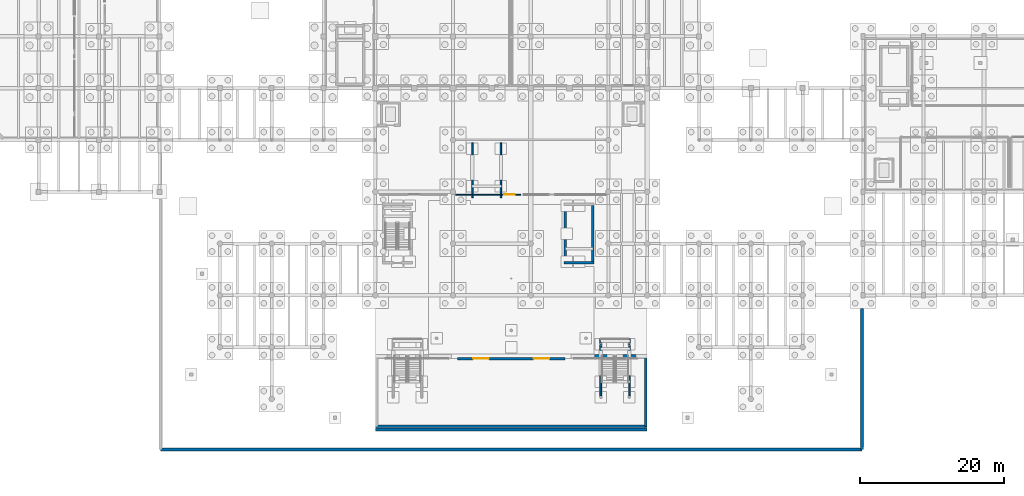
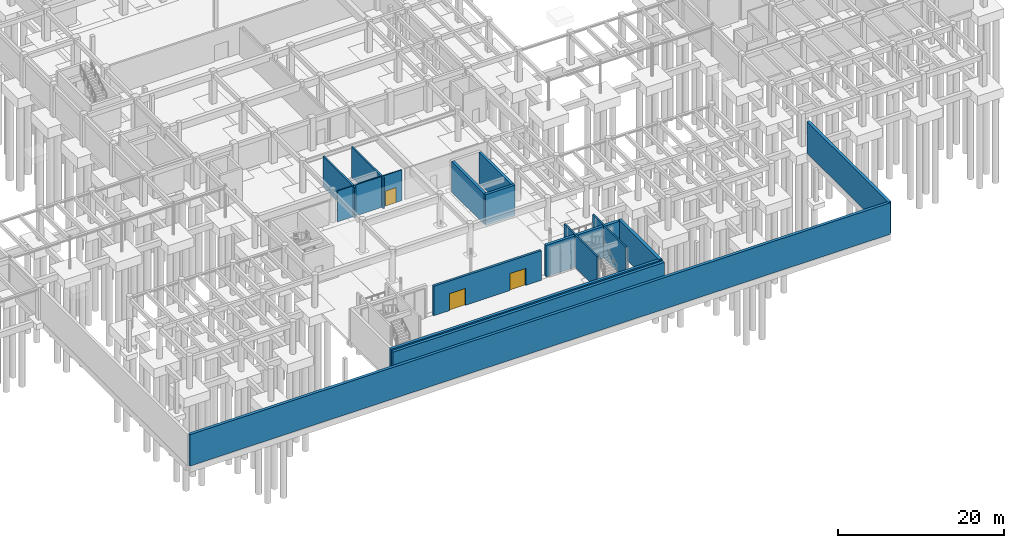
# One storey, part 26 of 46: 15 walls, 3 doors, 3 openings.
"""IFC4 building model written with IfcOpenShell, lengths in metres."""

from ifc_helpers import new_model, si_unit, direction, frame, frame_2d, origin, place, context, subcontext, project, spatial, rectangle, extrude, material, layer, layer_set, type_object, element, fill, save


model = new_model("IFC4")

# Units and contexts
model_context = context("Model", 3, precision=1e-05, world=origin(), true_north=direction((0.0, 1.0)))
body_context = subcontext(model_context, "Body", "Model", "MODEL_VIEW")
ifc_project = project(units=[si_unit("LENGTHUNIT", "METRE"), si_unit("AREAUNIT", "SQUARE_METRE"), si_unit("VOLUMEUNIT", "CUBIC_METRE"), si_unit("PLANEANGLEUNIT", "RADIAN"), si_unit("MASSUNIT", "GRAM", prefix="KILO")], contexts=[model_context])

# Site, building, storey
site_placement = place(None, origin())
site = spatial("IfcSite", under=ifc_project, at=site_placement, CompositionType="ELEMENT")
building_placement = place(site_placement, origin())
building = spatial("IfcBuilding", under=site, at=building_placement, Name="Tazoul Stagehouse", CompositionType="ELEMENT")
storey_placement = place(building_placement, frame((0.0, 0.0, -4.800048828125)))
storey = spatial("IfcBuildingStorey", under=building, at=storey_placement, Name="B1", CompositionType="ELEMENT", Elevation=-4.800048828125)

# Walls
ifc_material_1 = material(Name="Concrete C35/45", Category="concrete")
ifc_layer_1 = layer(ifc_material_1, 0.39990234375, Name="Concrete C35/45")
ifc_layer_set_1 = layer_set([ifc_layer_1], Name="Concrete C35/45")
wall_type_1 = type_object("IfcWallType", Name="Basement Waterproofed Retaining Wall 400", PredefinedType="SOLIDWALL", material=ifc_layer_set_1)
wall_1_placement = place(storey_placement, frame((27.75, 1.580078125, 0.0), z_axis=(0.0, 0.0, 1.0), x_axis=(1.0, 0.0, 0.0)))
element("IfcWall", 1, at=wall_1_placement, inside=storey, type_object=wall_type_1, Name="B1 Wall RW-400 (PLINTH-L00-S)", PredefinedType="SOLIDWALL", context=body_context, shape_type="SweptSolid", body=[
    extrude(rectangle(XDim=97.5, YDim=0.39990234375, at=frame_2d((48.75, 0.0))), origin(), (0.0, 0.0, 1.0), 4.630126953125),
])
wall_2_placement = place(storey_placement, frame((125.25, 1.580078125, 0.0), z_axis=(0.0, 0.0, 1.0), x_axis=(0.0, 1.0, 0.0)))
element("IfcWall", 2, at=wall_2_placement, inside=storey, type_object=wall_type_1, Name="B1 Wall RW-400 (PLINTH-L00-E)", PredefinedType="SOLIDWALL", context=body_context, shape_type="SweptSolid", body=[
    extrude(rectangle(XDim=19.619873046875, YDim=0.39990234375, at=frame_2d((9.81005859375, 0.0))), origin(), (0.0, 0.0, 1.0), 4.630126953125),
])
wall_3_placement = place(storey_placement, frame((57.60009765625, 4.35009765625, 0.0), z_axis=(0.0, 0.0, 1.0), x_axis=(1.0, 0.0, 0.0)))
element("IfcWall", 3, at=wall_3_placement, inside=storey, type_object=wall_type_1, Name="B1 Wall RW-400 (PLINTH-L00-M)", PredefinedType="SOLIDWALL", context=body_context, shape_type="SweptSolid", body=[
    extrude(rectangle(XDim=37.7998046875, YDim=0.39990234375, at=frame_2d((18.89990234375, 0.0))), origin(), (0.0, 0.0, 1.0), 4.630126953125),
])
wall_4_placement = place(storey_placement, frame((84.800048828125, 14.550048828125, 0.0), z_axis=(0.0, 0.0, 1.0), x_axis=(1.0, 0.0, 0.0)))
element("IfcWall", 4, at=wall_4_placement, inside=storey, type_object=wall_type_1, Name="B1 Wall RW-400 (PLINTH-L00-N2)", PredefinedType="SOLIDWALL", context=body_context, shape_type="SweptSolid", body=[
    extrude(rectangle(XDim=10.599853515625, YDim=0.39990234375, at=frame_2d((5.2998046875, 0.0))), origin(), (0.0, 0.0, 1.0), 4.630126953125),
])
wall_5_placement = place(storey_placement, frame((95.199951171875, 4.800048828125, 0.0), z_axis=(0.0, 0.0, 1.0), x_axis=(0.0, 1.0, 0.0)))
element("IfcWall", 5, at=wall_5_placement, inside=storey, type_object=wall_type_1, Name="B1 Wall RW-400 (WALL-B1-COURT-E)", PredefinedType="SOLIDWALL", context=body_context, shape_type="SweptSolid", body=[
    extrude(rectangle(XDim=9.75, YDim=0.39990234375, at=frame_2d((4.875, 0.0))), origin(), (0.0, 0.0, 1.0), 4.780029296875),
])
wall_6_placement = place(storey_placement, frame((57.60009765625, 4.800048828125, 0.0), z_axis=(0.0, 0.0, 1.0), x_axis=(1.0, 0.0, 0.0)))
element("IfcWall", 6, at=wall_6_placement, inside=storey, type_object=wall_type_1, Name="B1 Wall RW-400 (WALL-B1-COURT-S)", PredefinedType="SOLIDWALL", context=body_context, shape_type="SweptSolid", body=[
    extrude(rectangle(XDim=37.7998046875, YDim=0.39990234375, at=frame_2d((18.89990234375, 0.0))), origin(), (0.0, 0.0, 1.0), 4.780029296875),
])

# Wall, openings, doors
ifc_material_2 = material(Name="Ochre Fired Clay Facing Brick Masonry", Category="masonry")
ifc_layer_2 = layer(ifc_material_2, 0.320068359375, Name="Ochre Fired Clay Facing Brick Masonry")
ifc_layer_set_2 = layer_set([ifc_layer_2], Name="Ochre Fired Clay Facing Brick Masonry")
wall_type_2 = type_object("IfcWallType", Name="Concave Crescent Ochre Brick Facade Wall 320", PredefinedType="SOLIDWALL", material=ifc_layer_set_2)
wall_7_placement = place(storey_placement, frame((69.0, 14.199951171875, 0.0), z_axis=(0.0, 0.0, 1.0), x_axis=(1.0, 0.0, 0.0)))
wall_7 = element("IfcWall", 7, at=wall_7_placement, inside=storey, type_object=wall_type_2, Name="B1 Wall EW-320 (WALL-B1-METRO-C)", PredefinedType="SOLIDWALL", context=body_context, shape_type="SweptSolid", body=[
    extrude(rectangle(XDim=15.0, YDim=0.320068359375, at=frame_2d((7.5, 0.0))), origin(), (0.0, 0.0, 1.0), 4.35009765625),
])
opening_1_placement = place(wall_7_placement, frame((2.199951171875, 0.0, 0.0)))
opening_1 = element("IfcOpeningElement", 8, at=opening_1_placement, cuts=wall_7, Name="Opening ED-01", PredefinedType="OPENING", context=body_context, shape_type="SweptSolid", body=[
    extrude(rectangle(XDim=2.199951171875, YDim=2.5, at=frame_2d((1.10009765625, 1.25))), frame((0.0, 0.179931640625, 0.0), z_axis=(0.0, -1.0, 0.0), x_axis=(1.0, 0.0, 0.0)), (0.0, 0.0, 1.0), 0.360107421875),
])
opening_2_placement = place(wall_7_placement, frame((10.60009765625, 0.0, 0.0)))
opening_2 = element("IfcOpeningElement", 9, at=opening_2_placement, cuts=wall_7, Name="Opening ED-01", PredefinedType="OPENING", context=body_context, shape_type="SweptSolid", body=[
    extrude(rectangle(XDim=2.199951171875, YDim=2.5, at=frame_2d((1.10009765625, 1.25))), frame((0.0, 0.179931640625, 0.0), z_axis=(0.0, -1.0, 0.0), x_axis=(1.0, 0.0, 0.0)), (0.0, 0.0, 1.0), 0.360107421875),
])
ifc_material_3 = material(Name="Double Low-E Acoustic Laminated Glass", Category="glass")
door_type_1 = type_object("IfcDoorType", Name="Main Foyer Glazed Double Entrance Door 2200x2500", OperationType="DOUBLE_SWING_LEFT", PredefinedType="DOOR", material=ifc_material_3)
door_1_placement = place(opening_1_placement, origin())
door_1 = element("IfcDoor", 10, at=door_1_placement, inside=storey, type_object=door_type_1, Name="B1 Door ED-01 (DR-B1-METRO-1)", OperationType="SINGLE_SWING_LEFT", OverallHeight=2.5, OverallWidth=2.199951171875, PredefinedType="DOOR", context=body_context, shape_type="SweptSolid", body=[
    extrude(rectangle(XDim=2.199951171875, YDim=2.5, at=frame_2d((1.10009765625, 1.25))), frame((0.0, 0.02490234375, 0.0), z_axis=(0.0, -1.0, 0.0), x_axis=(1.0, 0.0, 0.0)), (0.0, 0.0, 1.0), 0.050048828125),
])
fill(opening_1, door_1)
door_2_placement = place(opening_2_placement, origin())
door_2 = element("IfcDoor", 11, at=door_2_placement, inside=storey, type_object=door_type_1, Name="B1 Door ED-01 (DR-B1-METRO-2)", OperationType="SINGLE_SWING_LEFT", OverallHeight=2.5, OverallWidth=2.199951171875, PredefinedType="DOOR", context=body_context, shape_type="SweptSolid", body=[
    extrude(rectangle(XDim=2.199951171875, YDim=2.5, at=frame_2d((1.10009765625, 1.25))), frame((0.0, 0.02490234375, 0.0), z_axis=(0.0, -1.0, 0.0), x_axis=(1.0, 0.0, 0.0)), (0.0, 0.0, 1.0), 0.050048828125),
])
fill(opening_2, door_2)

# Walls
ifc_material_4 = material(Name="Concrete C40/50", Category="concrete")
ifc_layer_3 = layer(ifc_material_4, 0.35009765625, Name="Concrete C40/50")
ifc_layer_set_3 = layer_set([ifc_layer_3], Name="Concrete C40/50")
wall_type_3 = type_object("IfcWallType", Name="Core Shear Wall 350", PredefinedType="SOLIDWALL", material=ifc_layer_set_3)
wall_8_placement = place(storey_placement, frame((88.0, 27.5048828125, 0.0), z_axis=(0.0, 0.0, 1.0), x_axis=(-1.0, 0.0, 0.0)))
element("IfcWall", 12, at=wall_8_placement, inside=storey, type_object=wall_type_3, Name="B1 Core Wall CW-350 (SHF-ST-08-south)", PredefinedType="SOLIDWALL", context=body_context, shape_type="SweptSolid", body=[
    extrude(rectangle(XDim=4.14990234375, YDim=0.35009765625, at=frame_2d((2.074951171875, 0.0))), origin(), (0.0, 0.0, 1.0), 4.5400390625),
])
for number, where, z_axis, x_axis, name in (
    (13, (84.02490234375, 27.679931640625, 0.0), (0.0, 0.0, 1.0), (0.0, 1.0, 0.0), "B1 Core Wall CW-350 (SHF-ST-08-west)"),
    (14, (87.824951171875, 35.47998046875, 0.0), (0.0, 0.0, 1.0), (0.0, -1.0, 0.0), "B1 Core Wall CW-350 (SHF-ST-08-east)"),
):
    element("IfcWall", number, at=place(storey_placement, frame(where, z_axis=z_axis, x_axis=x_axis)), inside=storey, type_object=wall_type_3, Name=name, PredefinedType="SOLIDWALL", context=body_context, shape_type="SweptSolid", body=[
        extrude(rectangle(XDim=7.800048828125, YDim=0.35009765625, at=frame_2d((3.89990234375, 0.0))), origin(), (0.0, 0.0, 1.0), 4.5400390625),
    ])

# Wall, opening, door
ifc_material_5 = material(Name="Gypsum Acoustic Partition", Category="gypsum")
ifc_layer_4 = layer(ifc_material_5, 0.1298828125, Name="Gypsum Acoustic Partition")
ifc_layer_set_4 = layer_set([ifc_layer_4], Name="Gypsum Acoustic Partition")
wall_type_4 = type_object("IfcWallType", Name="Office Drywall Partition 130", PredefinedType="PARTITIONING", material=ifc_layer_set_4)
wall_9_placement = place(storey_placement, frame((77.800048828125, 37.0, 0.0), z_axis=(0.0, 0.0, 1.0), x_axis=(-1.0, 0.0, 0.0)))
wall_9 = element("IfcWall", 15, at=wall_9_placement, inside=storey, type_object=wall_type_4, Name="B1 Partition PW-130 (PW-RM-B1-104-S)", PredefinedType="PARTITIONING", context=body_context, shape_type="SweptSolid", body=[
    extrude(rectangle(XDim=9.005126953125, YDim=0.1298828125, at=frame_2d((4.50244140625, 0.0))), origin(), (0.0, 0.0, 1.0), 4.5400390625),
])
opening_3_placement = place(wall_9_placement, frame((0.839599609375, 0.0, 0.0)))
opening_3 = element("IfcOpeningElement", 16, at=opening_3_placement, cuts=wall_9, Name="Opening ID-21", PredefinedType="OPENING", context=body_context, shape_type="SweptSolid", body=[
    extrude(rectangle(XDim=1.449951171875, YDim=2.199951171875, at=frame_2d((0.72509765625, 1.10009765625))), frame((0.0, 0.0849609375, 0.0), z_axis=(0.0, -1.0, 0.0), x_axis=(1.0, 0.0, 0.0)), (0.0, 0.0, 1.0), 0.169921875),
])
ifc_material_6 = material(Name="Acoustic Cedar Timber", Category="wood")
door_type_2 = type_object("IfcDoorType", Name="Press Conference Double Door 1450x2200", OperationType="DOUBLE_DOOR_SINGLE_SWING", PredefinedType="DOOR", material=ifc_material_6)
door_3_placement = place(opening_3_placement, origin())
door_3 = element("IfcDoor", 17, at=door_3_placement, inside=storey, type_object=door_type_2, Name="B1 Metro Concourse Performing-Arts Archive Salon Door", OperationType="DOUBLE_DOOR_SINGLE_SWING", OverallHeight=2.199951171875, OverallWidth=1.449951171875, PredefinedType="DOOR", context=body_context, shape_type="SweptSolid", body=[
    extrude(rectangle(XDim=1.449951171875, YDim=2.199951171875, at=frame_2d((0.72509765625, 1.10009765625))), frame((0.0, 0.02490234375, 0.0), z_axis=(0.0, -1.0, 0.0), x_axis=(1.0, 0.0, 0.0)), (0.0, 0.0, 1.0), 0.050048828125),
])
fill(opening_3, door_3)

# Walls
ifc_layer_5 = layer(ifc_material_4, 0.219970703125, Name="Concrete C40/50")
ifc_layer_set_5 = layer_set([ifc_layer_5], Name="Concrete C40/50")
wall_type_5 = type_object("IfcWallType", Name="Protected Exit Passage Wall 220", PredefinedType="SOLIDWALL", material=ifc_layer_set_5)
for number, where, z_axis, x_axis, name in (
    (18, (71.090087890625, 36.60009765625, 0.0), (0.0, 0.0, 1.0), (0.0, 1.0, 0.0), "B1 Civic Stair Cheek Wall CW-220 (ST-ATR-01-W)"),
    (19, (75.06005859375, 36.60009765625, 0.0), (0.0, 0.0, 1.0), (0.0, 1.0, 0.0), "B1 Civic Stair Cheek Wall CW-220 (ST-ATR-01-E)"),
):
    element("IfcWall", number, at=place(storey_placement, frame(where, z_axis=z_axis, x_axis=x_axis)), inside=storey, type_object=wall_type_5, Name=name, PredefinedType="SOLIDWALL", context=body_context, shape_type="SweptSolid", body=[
        extrude(rectangle(XDim=7.599853515625, YDim=0.219970703125, at=frame_2d((3.7998046875, 0.0))), origin(), (0.0, 0.0, 1.0), 4.52001953125),
    ])
ifc_layer_6 = layer(ifc_material_4, 0.219970703125, Name="Concrete C40/50")
ifc_layer_set_6 = layer_set([ifc_layer_6], Name="Concrete C40/50")
wall_type_6 = type_object("IfcWallType", Name="Protected Exit Passage Wall 220 (Exterior)", PredefinedType="SOLIDWALL", material=ifc_layer_set_6)
for number, where, z_axis, x_axis, name in (
    (20, (88.93994140625, 9.014892578125, 0.0), (0.0, 0.0, 1.0), (0.0, 1.0, 0.0), "B1 Civic Stair Cheek Wall CW-220E (ST-AMP-E-W)"),
    (21, (92.909912109375, 9.014892578125, 0.0), (0.0, 0.0, 1.0), (0.0, 1.0, 0.0), "B1 Civic Stair Cheek Wall CW-220E (ST-AMP-E-E)"),
):
    element("IfcWall", number, at=place(storey_placement, frame(where, z_axis=z_axis, x_axis=x_axis)), inside=storey, type_object=wall_type_6, Name=name, PredefinedType="SOLIDWALL", context=body_context, shape_type="SweptSolid", body=[
        extrude(rectangle(XDim=7.985107421875, YDim=0.219970703125, at=frame_2d((3.99267578125, 0.0))), origin(), (0.0, 0.0, 1.0), 4.800048828125),
    ])

save(model, "model.ifc")
